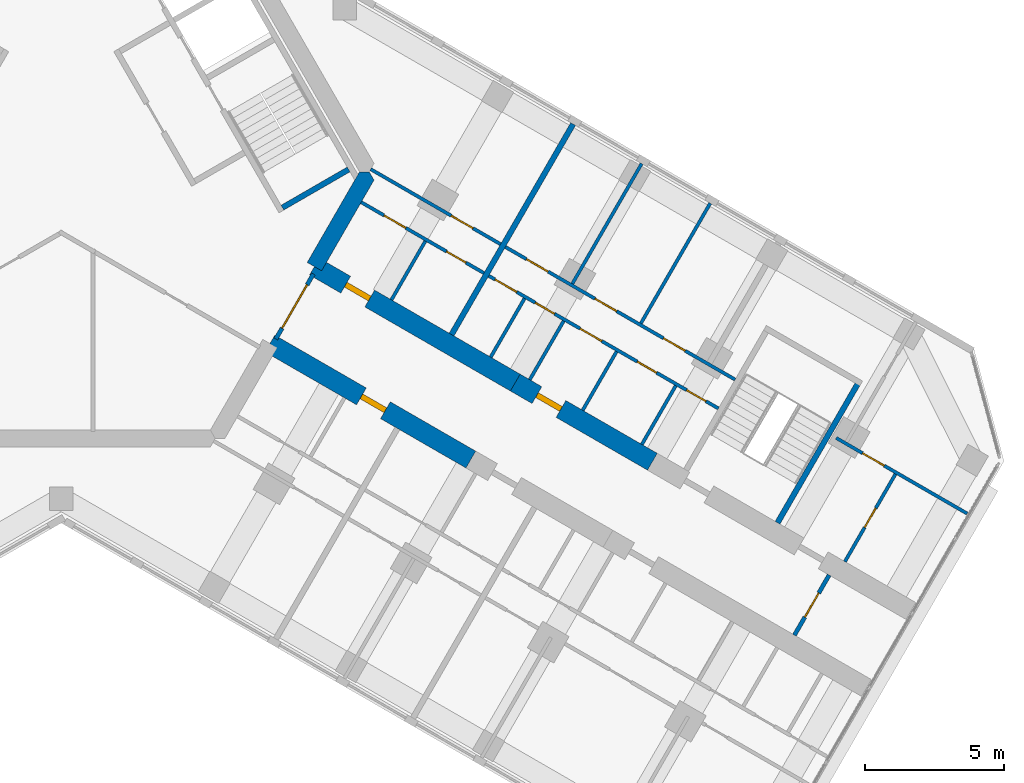
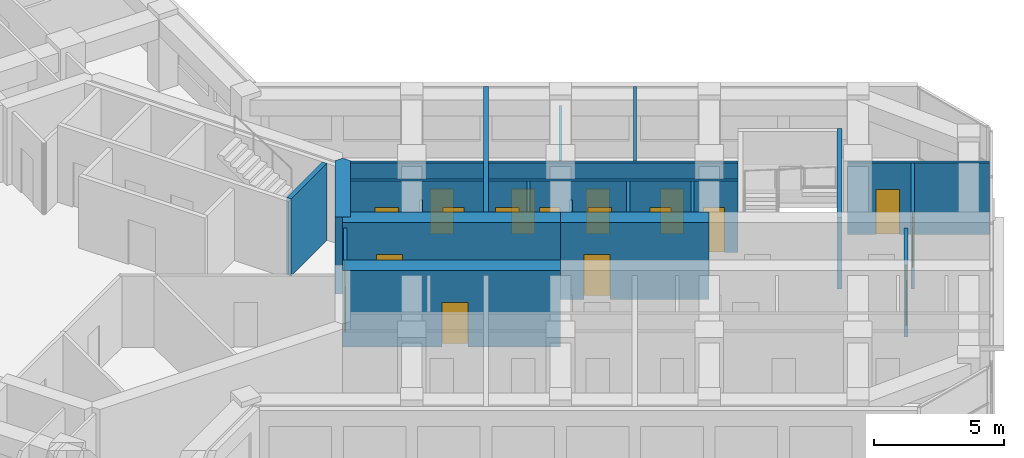
# One storey, part 12 of 16: 22 walls, 18 doors, 18 openings.
"""IFC4 building model written with IfcOpenShell, lengths in metres."""

from ifc_helpers import new_model, si_unit, direction, frame, frame_2d, origin, place, context, subcontext, project, spatial, polyline, rectangle, outline, extrude, material, layer, layer_set, type_object, element, fill, save


model = new_model("IFC4")

# Units and contexts
model_context = context("Model", 3, precision=1e-05, world=origin(), true_north=direction((0.0, 1.0)))
body_context = subcontext(model_context, "Body", "Model", "MODEL_VIEW")
ifc_project = project(units=[si_unit("LENGTHUNIT", "METRE"), si_unit("AREAUNIT", "SQUARE_METRE"), si_unit("VOLUMEUNIT", "CUBIC_METRE"), si_unit("PLANEANGLEUNIT", "RADIAN"), si_unit("MASSUNIT", "GRAM", prefix="KILO")], contexts=[model_context])

# Site, building, storey
site_placement = place(None, origin())
site = spatial("IfcSite", under=ifc_project, at=site_placement, CompositionType="ELEMENT")
building_placement = place(site_placement, origin())
building = spatial("IfcBuilding", under=site, at=building_placement, Name="Kosmar Iwan School Tower", CompositionType="ELEMENT")
storey_placement = place(building_placement, frame((0.0, 0.0, 249.60009765625)))
storey = spatial("IfcBuildingStorey", under=building, at=storey_placement, Name="L63", CompositionType="ELEMENT", Elevation=249.60009765625)

# Wall
ifc_material_1 = material(Name="Concrete C50/60", Category="concrete")
ifc_layer_1 = layer(ifc_material_1, 0.60009765625)
ifc_layer_set_1 = layer_set([ifc_layer_1], Name="Core wall 600")
wall_type_1 = type_object("IfcWallType", Name="Core wall 600", PredefinedType="SHEAR", material=ifc_layer_set_1)
wall_1_placement = place(storey_placement, origin())
element("IfcWall", 1, at=wall_1_placement, inside=storey, type_object=wall_type_1, Name="Core wall F330b", PredefinedType="SHEAR", context=body_context, shape_type="SweptSolid", body=[
    extrude(outline(polyline([(9.37353515625, -3.564453125), (11.25830078125, -0.300048828125), (11.085205078125, 0.0), (10.73876953125, 0.0), (8.85400390625, -3.264404296875), (9.37353515625, -3.564453125)])), origin(), (0.0, 0.0, 1.0), 3.599853515625),
])

# Wall, opening, door
ifc_material_2 = material(Name="Concrete C50/60", Category="concrete")
ifc_layer_2 = layer(ifc_material_2, 0.699951171875)
ifc_layer_set_2 = layer_set([ifc_layer_2], Name="Corridor buttress wall 700")
wall_type_2 = type_object("IfcWallType", Name="Corridor buttress wall 700", PredefinedType="SHEAR", material=ifc_layer_set_2)
wall_2_placement = place(storey_placement, frame((9.11376953125, -3.414306640625, 0.0), z_axis=(0.0, 0.0, 1.0), x_axis=(0.866026859388, -0.499997478812, 0.0)))
wall_2 = element("IfcWall", 2, at=wall_2_placement, inside=storey, type_object=wall_type_2, Name="Corridor wall CL", PredefinedType="SHEAR", context=body_context, shape_type="SweptSolid", body=[
    extrude(rectangle(XDim=8.35009765625, YDim=0.699951171875, at=frame_2d((4.175048828125, 0.0))), origin(), (0.0, 0.0, 1.0), 3.599853515625),
])
opening_1_placement = place(wall_2_placement, frame((1.300048828125, 0.0, 0.0)))
opening_1 = element("IfcOpeningElement", 3, at=opening_1_placement, cuts=wall_2, Name="Opening D1", PredefinedType="OPENING", context=body_context, shape_type="SweptSolid", body=[
    extrude(rectangle(XDim=1.0, YDim=2.10009765625, at=frame_2d((0.5, 1.050048828125))), frame((0.0, 0.362060546875, 0.0), z_axis=(0.0, -1.0, 0.0), x_axis=(1.0, 0.0, 0.0)), (0.0, 0.0, 1.0), 0.723876953125),
])
ifc_material_3 = material(Name="Timber fire door in steel frame", Category="steel")
door_type_1 = type_object("IfcDoorType", Name="Flat entrance door 1000x2100", OperationType="SINGLE_SWING_LEFT", PredefinedType="DOOR", material=ifc_material_3)
door_1_placement = place(opening_1_placement, origin())
door_1 = element("IfcDoor", 4, at=door_1_placement, inside=storey, type_object=door_type_1, Name="Flat L63-CL1 entrance door", OperationType="SINGLE_SWING_RIGHT", OverallHeight=2.10009765625, OverallWidth=1.0, PredefinedType="DOOR", context=body_context, shape_type="SweptSolid", body=[
    extrude(rectangle(XDim=1.0, YDim=2.10009765625, at=frame_2d((0.5, 1.050048828125))), frame((0.0, 0.10009765625, 0.0), z_axis=(0.0, -1.0, 0.0), x_axis=(1.0, 0.0, 0.0)), (0.0, 0.0, 1.0), 0.199951171875),
])
fill(opening_1, door_1)

wall_3_placement = place(storey_placement, frame((16.34521484375, -7.58935546875, 0.0), z_axis=(0.0, 0.0, 1.0), x_axis=(0.866015111908, -0.50001782563, 0.0)))
wall_3 = element("IfcWall", 5, at=wall_3_placement, inside=storey, type_object=wall_type_2, Name="Corridor wall CL bay 2", PredefinedType="SHEAR", context=body_context, shape_type="SweptSolid", body=[
    extrude(rectangle(XDim=5.699951171875, YDim=0.699951171875, at=frame_2d((2.85009765625, 0.0))), origin(), (0.0, 0.0, 1.0), 3.599853515625),
])
opening_2_placement = place(wall_3_placement, frame((0.89990234375, 0.0, 0.0)))
opening_2 = element("IfcOpeningElement", 6, at=opening_2_placement, cuts=wall_3, Name="Opening D1", PredefinedType="OPENING", context=body_context, shape_type="SweptSolid", body=[
    extrude(rectangle(XDim=1.0, YDim=2.10009765625, at=frame_2d((0.5, 1.050048828125))), frame((0.0, 0.362060546875, 0.0), z_axis=(0.0, -1.0, 0.0), x_axis=(1.0, 0.0, 0.0)), (0.0, 0.0, 1.0), 0.723876953125),
])
door_2_placement = place(opening_2_placement, origin())
door_2 = element("IfcDoor", 7, at=door_2_placement, inside=storey, type_object=door_type_1, Name="Flat L63-CL2 entrance door", OperationType="SINGLE_SWING_LEFT", OverallHeight=2.10009765625, OverallWidth=1.0, PredefinedType="DOOR", context=body_context, shape_type="SweptSolid", body=[
    extrude(rectangle(XDim=1.0, YDim=2.10009765625, at=frame_2d((0.5, 1.050048828125))), frame((0.0, 0.10009765625, 0.0), z_axis=(0.0, -1.0, 0.0), x_axis=(1.0, 0.0, 0.0)), (0.0, 0.0, 1.0), 0.199951171875),
])
fill(opening_2, door_2)

wall_4_placement = place(storey_placement, frame((7.513916015625, -6.185546875, 0.0), z_axis=(0.0, 0.0, 1.0), x_axis=(0.866019549707, -0.500010139422, 0.0)))
wall_4 = element("IfcWall", 8, at=wall_4_placement, inside=storey, type_object=wall_type_2, Name="Corridor wall CR", PredefinedType="SHEAR", context=body_context, shape_type="SweptSolid", body=[
    extrude(rectangle(XDim=8.349853515625, YDim=0.699951171875, at=frame_2d((4.1748046875, 0.0))), origin(), (0.0, 0.0, 1.0), 3.599853515625),
])
opening_3_placement = place(wall_4_placement, frame((3.800048828125, 0.0, 0.0)))
opening_3 = element("IfcOpeningElement", 9, at=opening_3_placement, cuts=wall_4, Name="Opening D1", PredefinedType="OPENING", context=body_context, shape_type="SweptSolid", body=[
    extrude(rectangle(XDim=1.0, YDim=2.10009765625, at=frame_2d((0.5, 1.050048828125))), frame((0.0, 0.362060546875, 0.0), z_axis=(0.0, -1.0, 0.0), x_axis=(1.0, 0.0, 0.0)), (0.0, 0.0, 1.0), 0.723876953125),
])
door_3_placement = place(opening_3_placement, origin())
door_3 = element("IfcDoor", 10, at=door_3_placement, inside=storey, type_object=door_type_1, Name="Flat L63-CR1 entrance door", OperationType="SINGLE_SWING_RIGHT", OverallHeight=2.10009765625, OverallWidth=1.0, PredefinedType="DOOR", context=body_context, shape_type="SweptSolid", body=[
    extrude(rectangle(XDim=1.0, YDim=2.10009765625, at=frame_2d((0.5, 1.050048828125))), frame((0.0, 0.10009765625, 0.0), z_axis=(0.0, -1.0, 0.0), x_axis=(1.0, 0.0, 0.0)), (0.0, 0.0, 1.0), 0.199951171875),
])
fill(opening_3, door_3)

ifc_material_4 = material(Name="Gypsum board on steel studs, fire-rated", Category="steel")
ifc_layer_3 = layer(ifc_material_4, 0.14990234375)
ifc_layer_set_3 = layer_set([ifc_layer_3], Name="Corridor end wall 150")
wall_type_3 = type_object("IfcWallType", Name="Corridor end wall 150", PredefinedType="PARTITIONING", material=ifc_layer_set_3)
wall_5_placement = place(storey_placement, frame((26.39501953125, -16.6826171875, 0.0), z_axis=(0.0, 0.0, 1.0), x_axis=(0.500004234368, 0.866022959057, 0.0)))
wall_5 = element("IfcWall", 11, at=wall_5_placement, inside=storey, type_object=wall_type_3, Name="Partition L63-C-CE", PredefinedType="PARTITIONING", context=body_context, shape_type="SweptSolid", body=[
    extrude(rectangle(XDim=2.5, YDim=0.14990234375, at=frame_2d((1.25, 0.0))), origin(), (0.0, 0.0, 1.0), 3.349853515625),
])
opening_4_placement = place(wall_5_placement, frame((0.75, 0.0, 0.0)))
opening_4 = element("IfcOpeningElement", 12, at=opening_4_placement, cuts=wall_5, Name="Opening D13", PredefinedType="OPENING", context=body_context, shape_type="SweptSolid", body=[
    extrude(rectangle(XDim=1.0, YDim=2.10009765625, at=frame_2d((0.5, 1.050048828125))), frame((0.0, 0.0869140625, 0.0), z_axis=(0.0, -1.0, 0.0), x_axis=(1.0, 0.0, 0.0)), (0.0, 0.0, 1.0), 0.173828125),
])
ifc_material_5 = material(Name="Timber fire door with vision panel", Category="wood")
door_type_2 = type_object("IfcDoorType", Name="Corridor end door 1000x2100", OperationType="SINGLE_SWING_LEFT", PredefinedType="DOOR", material=ifc_material_5)
door_4_placement = place(opening_4_placement, origin())
door_4 = element("IfcDoor", 13, at=door_4_placement, inside=storey, type_object=door_type_2, Name="Laundry and drying room door L63-C", OperationType="SINGLE_SWING_RIGHT", OverallHeight=2.10009765625, OverallWidth=1.0, PredefinedType="DOOR", context=body_context, shape_type="SweptSolid", body=[
    extrude(rectangle(XDim=1.0, YDim=2.10009765625, at=frame_2d((0.5, 1.050048828125))), frame((0.0, 0.02490234375, 0.0), z_axis=(0.0, -1.0, 0.0), x_axis=(1.0, 0.0, 0.0)), (0.0, 0.0, 1.0), 0.050048828125),
])
fill(opening_4, door_4)

ifc_material_6 = material(Name="Steel framed glazed screen", Category="steel")
ifc_layer_4 = layer(ifc_material_6, 0.14990234375)
ifc_layer_set_4 = layer_set([ifc_layer_4], Name="Corridor screen wall 150")
wall_type_4 = type_object("IfcWallType", Name="Corridor screen wall 150", PredefinedType="PARTITIONING", material=ifc_layer_set_4)
wall_6_placement = place(storey_placement, frame((7.725341796875, -6.01904296875, 0.0), z_axis=(0.0, 0.0, 1.0), x_axis=(0.500048589285, 0.86599734893, 0.0)))
wall_6 = element("IfcWall", 14, at=wall_6_placement, inside=storey, type_object=wall_type_4, Name="Corridor screen C L63", PredefinedType="PARTITIONING", context=body_context, shape_type="SweptSolid", body=[
    extrude(rectangle(XDim=2.699951171875, YDim=0.14990234375, at=frame_2d((1.35009765625, 0.0))), origin(), (0.0, 0.0, 1.0), 3.349853515625),
])
opening_5_placement = place(wall_6_placement, frame((0.449951171875, 0.0, 0.0)))
opening_5 = element("IfcOpeningElement", 15, at=opening_5_placement, cuts=wall_6, Name="Opening D9", PredefinedType="OPENING", context=body_context, shape_type="SweptSolid", body=[
    extrude(rectangle(XDim=1.800048828125, YDim=2.10009765625, at=frame_2d((0.89990234375, 1.050048828125))), frame((0.0, 0.0869140625, 0.0), z_axis=(0.0, -1.0, 0.0), x_axis=(1.0, 0.0, 0.0)), (0.0, 0.0, 1.0), 0.173828125),
])
ifc_material_7 = material(Name="Steel framed glazed smoke door", Category="steel")
door_type_3 = type_object("IfcDoorType", Name="Corridor smoke door pair 1800x2100", OperationType="DOUBLE_DOOR_DOUBLE_SWING", PredefinedType="DOOR", material=ifc_material_7)
door_5_placement = place(opening_5_placement, origin())
door_5 = element("IfcDoor", 16, at=door_5_placement, inside=storey, type_object=door_type_3, Name="Corridor doors C L63", OperationType="DOUBLE_DOOR_DOUBLE_SWING", OverallHeight=2.10009765625, OverallWidth=1.800048828125, PredefinedType="DOOR", context=body_context, shape_type="SweptSolid", body=[
    extrude(rectangle(XDim=1.800048828125, YDim=2.10009765625, at=frame_2d((0.89990234375, 1.050048828125))), frame((0.0, 0.02490234375, 0.0), z_axis=(0.0, -1.0, 0.0), x_axis=(1.0, 0.0, 0.0)), (0.0, 0.0, 1.0), 0.050048828125),
])
fill(opening_5, door_5)

# Wall, openings, doors
ifc_material_8 = material(Name="Gypsum board on steel studs", Category="steel")
ifc_layer_5 = layer(ifc_material_8, 0.1201171875)
ifc_layer_set_5 = layer_set([ifc_layer_5], Name="Dwelling partition 120")
wall_type_5 = type_object("IfcWallType", Name="Dwelling partition 120", PredefinedType="PARTITIONING", material=ifc_layer_set_5)
wall_7_placement = place(storey_placement, frame((10.798583984375, -1.09619140625, 0.0), z_axis=(0.0, 0.0, 1.0), x_axis=(0.86602216432, -0.500005610874, 0.0)))
wall_7 = element("IfcWall", 17, at=wall_7_placement, inside=storey, type_object=wall_type_5, Name="Partition L63-CL1-W1", PredefinedType="PARTITIONING", context=body_context, shape_type="SweptSolid", body=[
    extrude(rectangle(XDim=5.10009765625, YDim=0.1201171875, at=frame_2d((2.550048828125, 0.0))), origin(), (0.0, 0.0, 1.0), 3.349853515625),
])
opening_6_placement = place(wall_7_placement, frame((0.949951171875, 0.0, 0.0)))
opening_6 = element("IfcOpeningElement", 18, at=opening_6_placement, cuts=wall_7, Name="Opening D2", PredefinedType="OPENING", context=body_context, shape_type="SweptSolid", body=[
    extrude(rectangle(XDim=0.89990234375, YDim=2.10009765625, at=frame_2d((0.449951171875, 1.050048828125))), frame((0.0, 0.072021484375, 0.0), z_axis=(0.0, -1.0, 0.0), x_axis=(1.0, 0.0, 0.0)), (0.0, 0.0, 1.0), 0.14404296875),
])
opening_7_placement = place(wall_7_placement, frame((3.550048828125, 0.0, 0.0)))
opening_7 = element("IfcOpeningElement", 19, at=opening_7_placement, cuts=wall_7, Name="Opening D3", PredefinedType="OPENING", context=body_context, shape_type="SweptSolid", body=[
    extrude(rectangle(XDim=0.800048828125, YDim=2.10009765625, at=frame_2d((0.39990234375, 1.050048828125))), frame((0.0, 0.072021484375, 0.0), z_axis=(0.0, -1.0, 0.0), x_axis=(1.0, 0.0, 0.0)), (0.0, 0.0, 1.0), 0.14404296875),
])
ifc_material_9 = material(Name="Timber door in timber frame", Category="wood")
door_type_4 = type_object("IfcDoorType", Name="Internal door 900x2100", OperationType="SINGLE_SWING_LEFT", PredefinedType="DOOR", material=ifc_material_9)
door_6_placement = place(opening_6_placement, origin())
door_6 = element("IfcDoor", 20, at=door_6_placement, inside=storey, type_object=door_type_4, Name="Entrance hall door L63-CL1-S1", OperationType="SINGLE_SWING_LEFT", OverallHeight=2.10009765625, OverallWidth=0.89990234375, PredefinedType="DOOR", context=body_context, shape_type="SweptSolid", body=[
    extrude(rectangle(XDim=0.89990234375, YDim=2.10009765625, at=frame_2d((0.449951171875, 1.050048828125))), frame((0.0, 0.02490234375, 0.0), z_axis=(0.0, -1.0, 0.0), x_axis=(1.0, 0.0, 0.0)), (0.0, 0.0, 1.0), 0.050048828125),
])
fill(opening_6, door_6)
ifc_material_10 = material(Name="Timber door in timber frame", Category="wood")
door_type_5 = type_object("IfcDoorType", Name="Sanitary room door 800x2100", OperationType="SINGLE_SWING_LEFT", PredefinedType="DOOR", material=ifc_material_10)
door_7_placement = place(opening_7_placement, origin())
door_7 = element("IfcDoor", 21, at=door_7_placement, inside=storey, type_object=door_type_5, Name="Bathroom door L63-CL1-S2", OperationType="SINGLE_SWING_RIGHT", OverallHeight=2.10009765625, OverallWidth=0.800048828125, PredefinedType="DOOR", context=body_context, shape_type="SweptSolid", body=[
    extrude(rectangle(XDim=0.800048828125, YDim=2.10009765625, at=frame_2d((0.39990234375, 1.050048828125))), frame((0.0, 0.02490234375, 0.0), z_axis=(0.0, -1.0, 0.0), x_axis=(1.0, 0.0, 0.0)), (0.0, 0.0, 1.0), 0.050048828125),
])
fill(opening_7, door_7)

# Wall, opening, door
wall_8_placement = place(storey_placement, frame((11.138916015625, 0.093017578125, 0.0), z_axis=(0.0, 0.0, 1.0), x_axis=(0.866028230842, -0.499995103361, 0.0)))
wall_8 = element("IfcWall", 22, at=wall_8_placement, inside=storey, type_object=wall_type_5, Name="Partition L63-CL1-W2", PredefinedType="PARTITIONING", context=body_context, shape_type="SweptSolid", body=[
    extrude(rectangle(XDim=5.39990234375, YDim=0.1201171875, at=frame_2d((2.699951171875, 0.0))), origin(), (0.0, 0.0, 1.0), 3.349853515625),
])
opening_8_placement = place(wall_8_placement, frame((3.35009765625, 0.0, 0.0)))
opening_8 = element("IfcOpeningElement", 23, at=opening_8_placement, cuts=wall_8, Name="Opening D2", PredefinedType="OPENING", context=body_context, shape_type="SweptSolid", body=[
    extrude(rectangle(XDim=0.89990234375, YDim=2.10009765625, at=frame_2d((0.449951171875, 1.050048828125))), frame((0.0, 0.072021484375, 0.0), z_axis=(0.0, -1.0, 0.0), x_axis=(1.0, 0.0, 0.0)), (0.0, 0.0, 1.0), 0.14404296875),
])
door_8_placement = place(opening_8_placement, origin())
door_8 = element("IfcDoor", 24, at=door_8_placement, inside=storey, type_object=door_type_4, Name="Studio living room and kitchen door L63-CL1-F1", OperationType="SINGLE_SWING_RIGHT", OverallHeight=2.10009765625, OverallWidth=0.89990234375, PredefinedType="DOOR", context=body_context, shape_type="SweptSolid", body=[
    extrude(rectangle(XDim=0.89990234375, YDim=2.10009765625, at=frame_2d((0.449951171875, 1.050048828125))), frame((0.0, 0.02490234375, 0.0), z_axis=(0.0, -1.0, 0.0), x_axis=(1.0, 0.0, 0.0)), (0.0, 0.0, 1.0), 0.050048828125),
])
fill(opening_8, door_8)

# Wall
wall_9_placement = place(storey_placement, frame((11.886962890625, -4.611328125, 0.0), z_axis=(0.0, 0.0, 1.0), x_axis=(0.499959183527, 0.866048967903, 0.0)))
element("IfcWall", 25, at=wall_9_placement, inside=storey, type_object=wall_type_5, Name="Partition L63-CL1-Y1", PredefinedType="PARTITIONING", context=body_context, shape_type="SweptSolid", body=[
    extrude(rectangle(XDim=2.440185546875, YDim=0.1201171875, at=frame_2d((1.22021484375, 0.0))), origin(), (0.0, 0.0, 1.0), 2.449951171875),
])

# Wall, openings, doors
wall_10_placement = place(storey_placement, frame((15.388671875, -3.74609375, 0.0), z_axis=(0.0, 0.0, 1.0), x_axis=(0.866017851049, -0.500013081493, 0.0)))
wall_10 = element("IfcWall", 26, at=wall_10_placement, inside=storey, type_object=wall_type_5, Name="Partition L63-CL2-W1", PredefinedType="PARTITIONING", context=body_context, shape_type="SweptSolid", body=[
    extrude(rectangle(XDim=9.550048828125, YDim=0.1201171875, at=frame_2d((4.77490234375, 0.0))), origin(), (0.0, 0.0, 1.0), 3.349853515625),
])
opening_9_placement = place(wall_10_placement, frame((0.262451171875, 0.0, 0.0)))
opening_9 = element("IfcOpeningElement", 27, at=opening_9_placement, cuts=wall_10, Name="Opening D2", PredefinedType="OPENING", context=body_context, shape_type="SweptSolid", body=[
    extrude(rectangle(XDim=0.89990234375, YDim=2.10009765625, at=frame_2d((0.449951171875, 1.050048828125))), frame((0.0, 0.072021484375, 0.0), z_axis=(0.0, -1.0, 0.0), x_axis=(1.0, 0.0, 0.0)), (0.0, 0.0, 1.0), 0.14404296875),
])
opening_10_placement = place(wall_10_placement, frame((1.9375, 0.0, 0.0)))
opening_10 = element("IfcOpeningElement", 28, at=opening_10_placement, cuts=wall_10, Name="Opening D3", PredefinedType="OPENING", context=body_context, shape_type="SweptSolid", body=[
    extrude(rectangle(XDim=0.800048828125, YDim=2.10009765625, at=frame_2d((0.39990234375, 1.050048828125))), frame((0.0, 0.072021484375, 0.0), z_axis=(0.0, -1.0, 0.0), x_axis=(1.0, 0.0, 0.0)), (0.0, 0.0, 1.0), 0.14404296875),
])
opening_11_placement = place(wall_10_placement, frame((3.800048828125, 0.0, 0.0)))
opening_11 = element("IfcOpeningElement", 29, at=opening_11_placement, cuts=wall_10, Name="Opening D2", PredefinedType="OPENING", context=body_context, shape_type="SweptSolid", body=[
    extrude(rectangle(XDim=0.89990234375, YDim=2.10009765625, at=frame_2d((0.449951171875, 1.050048828125))), frame((0.0, 0.072021484375, 0.0), z_axis=(0.0, -1.0, 0.0), x_axis=(1.0, 0.0, 0.0)), (0.0, 0.0, 1.0), 0.14404296875),
])
opening_12_placement = place(wall_10_placement, frame((6.179931640625, 0.0, 0.0)))
opening_12 = element("IfcOpeningElement", 30, at=opening_12_placement, cuts=wall_10, Name="Opening D3", PredefinedType="OPENING", context=body_context, shape_type="SweptSolid", body=[
    extrude(rectangle(XDim=0.800048828125, YDim=2.10009765625, at=frame_2d((0.39990234375, 1.050048828125))), frame((0.0, 0.072021484375, 0.0), z_axis=(0.0, -1.0, 0.0), x_axis=(1.0, 0.0, 0.0)), (0.0, 0.0, 1.0), 0.14404296875),
])
opening_13_placement = place(wall_10_placement, frame((8.22998046875, 0.0, 0.0)))
opening_13 = element("IfcOpeningElement", 31, at=opening_13_placement, cuts=wall_10, Name="Opening D3", PredefinedType="OPENING", context=body_context, shape_type="SweptSolid", body=[
    extrude(rectangle(XDim=0.800048828125, YDim=2.10009765625, at=frame_2d((0.39990234375, 1.050048828125))), frame((0.0, 0.072021484375, 0.0), z_axis=(0.0, -1.0, 0.0), x_axis=(1.0, 0.0, 0.0)), (0.0, 0.0, 1.0), 0.14404296875),
])
door_9_placement = place(opening_9_placement, origin())
door_9 = element("IfcDoor", 32, at=door_9_placement, inside=storey, type_object=door_type_4, Name="Pantry door L63-CL2-S1", OperationType="SINGLE_SWING_LEFT", OverallHeight=2.10009765625, OverallWidth=0.89990234375, PredefinedType="DOOR", context=body_context, shape_type="SweptSolid", body=[
    extrude(rectangle(XDim=0.89990234375, YDim=2.10009765625, at=frame_2d((0.449951171875, 1.050048828125))), frame((0.0, 0.02490234375, 0.0), z_axis=(0.0, -1.0, 0.0), x_axis=(1.0, 0.0, 0.0)), (0.0, 0.0, 1.0), 0.050048828125),
])
fill(opening_9, door_9)
door_10_placement = place(opening_11_placement, origin())
door_10 = element("IfcDoor", 33, at=door_10_placement, inside=storey, type_object=door_type_4, Name="Entrance hall door L63-CL2-S3", OperationType="SINGLE_SWING_LEFT", OverallHeight=2.10009765625, OverallWidth=0.89990234375, PredefinedType="DOOR", context=body_context, shape_type="SweptSolid", body=[
    extrude(rectangle(XDim=0.89990234375, YDim=2.10009765625, at=frame_2d((0.449951171875, 1.050048828125))), frame((0.0, 0.02490234375, 0.0), z_axis=(0.0, -1.0, 0.0), x_axis=(1.0, 0.0, 0.0)), (0.0, 0.0, 1.0), 0.050048828125),
])
fill(opening_11, door_10)
door_11_placement = place(opening_10_placement, origin())
door_11 = element("IfcDoor", 34, at=door_11_placement, inside=storey, type_object=door_type_5, Name="Grandparents' shower room door L63-CL2-S2", OperationType="SINGLE_SWING_LEFT", OverallHeight=2.10009765625, OverallWidth=0.800048828125, PredefinedType="DOOR", context=body_context, shape_type="SweptSolid", body=[
    extrude(rectangle(XDim=0.800048828125, YDim=2.10009765625, at=frame_2d((0.39990234375, 1.050048828125))), frame((0.0, 0.02490234375, 0.0), z_axis=(0.0, -1.0, 0.0), x_axis=(1.0, 0.0, 0.0)), (0.0, 0.0, 1.0), 0.050048828125),
])
fill(opening_10, door_11)
door_12_placement = place(opening_12_placement, origin())
door_12 = element("IfcDoor", 35, at=door_12_placement, inside=storey, type_object=door_type_5, Name="Bathroom door L63-CL2-S4", OperationType="SINGLE_SWING_RIGHT", OverallHeight=2.10009765625, OverallWidth=0.800048828125, PredefinedType="DOOR", context=body_context, shape_type="SweptSolid", body=[
    extrude(rectangle(XDim=0.800048828125, YDim=2.10009765625, at=frame_2d((0.39990234375, 1.050048828125))), frame((0.0, 0.02490234375, 0.0), z_axis=(0.0, -1.0, 0.0), x_axis=(1.0, 0.0, 0.0)), (0.0, 0.0, 1.0), 0.050048828125),
])
fill(opening_12, door_12)
door_13_placement = place(opening_13_placement, origin())
door_13 = element("IfcDoor", 36, at=door_13_placement, inside=storey, type_object=door_type_5, Name="Shower room door L63-CL2-S5", OperationType="SINGLE_SWING_RIGHT", OverallHeight=2.10009765625, OverallWidth=0.800048828125, PredefinedType="DOOR", context=body_context, shape_type="SweptSolid", body=[
    extrude(rectangle(XDim=0.800048828125, YDim=2.10009765625, at=frame_2d((0.39990234375, 1.050048828125))), frame((0.0, 0.02490234375, 0.0), z_axis=(0.0, -1.0, 0.0), x_axis=(1.0, 0.0, 0.0)), (0.0, 0.0, 1.0), 0.050048828125),
])
fill(opening_13, door_13)

wall_11_placement = place(storey_placement, frame((15.988525390625, -2.70703125, 0.0), z_axis=(0.0, 0.0, 1.0), x_axis=(0.866028920859, -0.499993908199, 0.0)))
wall_11 = element("IfcWall", 37, at=wall_11_placement, inside=storey, type_object=wall_type_5, Name="Partition L63-CL2-W2", PredefinedType="PARTITIONING", context=body_context, shape_type="SweptSolid", body=[
    extrude(rectangle(XDim=9.5498046875, YDim=0.1201171875, at=frame_2d((4.77490234375, 0.0))), origin(), (0.0, 0.0, 1.0), 3.349853515625),
])
opening_14_placement = place(wall_11_placement, frame((0.875, 0.0, 0.0)))
opening_14 = element("IfcOpeningElement", 38, at=opening_14_placement, cuts=wall_11, Name="Opening D2", PredefinedType="OPENING", context=body_context, shape_type="SweptSolid", body=[
    extrude(rectangle(XDim=0.89990234375, YDim=2.10009765625, at=frame_2d((0.449951171875, 1.050048828125))), frame((0.0, 0.072021484375, 0.0), z_axis=(0.0, -1.0, 0.0), x_axis=(1.0, 0.0, 0.0)), (0.0, 0.0, 1.0), 0.14404296875),
])
opening_15_placement = place(wall_11_placement, frame((3.72509765625, 0.0, 0.0)))
opening_15 = element("IfcOpeningElement", 39, at=opening_15_placement, cuts=wall_11, Name="Opening D2", PredefinedType="OPENING", context=body_context, shape_type="SweptSolid", body=[
    extrude(rectangle(XDim=0.89990234375, YDim=2.10009765625, at=frame_2d((0.449951171875, 1.050048828125))), frame((0.0, 0.072021484375, 0.0), z_axis=(0.0, -1.0, 0.0), x_axis=(1.0, 0.0, 0.0)), (0.0, 0.0, 1.0), 0.14404296875),
])
opening_16_placement = place(wall_11_placement, frame((6.574951171875, 0.0, 0.0)))
opening_16 = element("IfcOpeningElement", 40, at=opening_16_placement, cuts=wall_11, Name="Opening D2", PredefinedType="OPENING", context=body_context, shape_type="SweptSolid", body=[
    extrude(rectangle(XDim=0.89990234375, YDim=2.10009765625, at=frame_2d((0.449951171875, 1.050048828125))), frame((0.0, 0.072021484375, 0.0), z_axis=(0.0, -1.0, 0.0), x_axis=(1.0, 0.0, 0.0)), (0.0, 0.0, 1.0), 0.14404296875),
])
door_14_placement = place(opening_14_placement, origin())
door_14 = element("IfcDoor", 41, at=door_14_placement, inside=storey, type_object=door_type_4, Name="Bedroom 1 door L63-CL2-F1", OperationType="SINGLE_SWING_RIGHT", OverallHeight=2.10009765625, OverallWidth=0.89990234375, PredefinedType="DOOR", context=body_context, shape_type="SweptSolid", body=[
    extrude(rectangle(XDim=0.89990234375, YDim=2.10009765625, at=frame_2d((0.449951171875, 1.050048828125))), frame((0.0, 0.02490234375, 0.0), z_axis=(0.0, -1.0, 0.0), x_axis=(1.0, 0.0, 0.0)), (0.0, 0.0, 1.0), 0.050048828125),
])
fill(opening_14, door_14)
door_15_placement = place(opening_15_placement, origin())
door_15 = element("IfcDoor", 42, at=door_15_placement, inside=storey, type_object=door_type_4, Name="Living room and kitchen door L63-CL2-F2", OperationType="SINGLE_SWING_LEFT", OverallHeight=2.10009765625, OverallWidth=0.89990234375, PredefinedType="DOOR", context=body_context, shape_type="SweptSolid", body=[
    extrude(rectangle(XDim=0.89990234375, YDim=2.10009765625, at=frame_2d((0.449951171875, 1.050048828125))), frame((0.0, 0.02490234375, 0.0), z_axis=(0.0, -1.0, 0.0), x_axis=(1.0, 0.0, 0.0)), (0.0, 0.0, 1.0), 0.050048828125),
])
fill(opening_15, door_15)
door_16_placement = place(opening_16_placement, origin())
door_16 = element("IfcDoor", 43, at=door_16_placement, inside=storey, type_object=door_type_4, Name="Grandparents' suite door L63-CL2-F3", OperationType="SINGLE_SWING_RIGHT", OverallHeight=2.10009765625, OverallWidth=0.89990234375, PredefinedType="DOOR", context=body_context, shape_type="SweptSolid", body=[
    extrude(rectangle(XDim=0.89990234375, YDim=2.10009765625, at=frame_2d((0.449951171875, 1.050048828125))), frame((0.0, 0.02490234375, 0.0), z_axis=(0.0, -1.0, 0.0), x_axis=(1.0, 0.0, 0.0)), (0.0, 0.0, 1.0), 0.050048828125),
])
fill(opening_16, door_16)

# Walls
wall_12_placement = place(storey_placement, frame((18.400146484375, -4.030029296875, 0.0), z_axis=(0.0, 0.0, 1.0), x_axis=(0.500011847778, 0.866018563358, 0.0)))
element("IfcWall", 44, at=wall_12_placement, inside=storey, type_object=wall_type_5, Name="Partition L63-CL2-X1", PredefinedType="PARTITIONING", context=body_context, shape_type="SweptSolid", body=[
    extrude(rectangle(XDim=4.990234375, YDim=0.1201171875, at=frame_2d((2.4951171875, 0.0))), origin(), (0.0, 0.0, 1.0), 2.449951171875),
])
wall_13_placement = place(storey_placement, frame((20.868408203125, -5.455078125, 0.0), z_axis=(0.0, 0.0, 1.0), x_axis=(0.499975153383, 0.86603974851, 0.0)))
element("IfcWall", 45, at=wall_13_placement, inside=storey, type_object=wall_type_5, Name="Partition L63-CL2-X2", PredefinedType="PARTITIONING", context=body_context, shape_type="SweptSolid", body=[
    extrude(rectangle(XDim=4.989990234375, YDim=0.1201171875, at=frame_2d((2.4951171875, 0.0))), origin(), (0.0, 0.0, 1.0), 3.349853515625),
])
wall_14_placement = place(storey_placement, frame((15.459228515625, -6.673828125, 0.0), z_axis=(0.0, 0.0, 1.0), x_axis=(0.499959183527, 0.866048967903, 0.0)))
element("IfcWall", 46, at=wall_14_placement, inside=storey, type_object=wall_type_5, Name="Partition L63-CL2-Y1", PredefinedType="PARTITIONING", context=body_context, shape_type="SweptSolid", body=[
    extrude(rectangle(XDim=2.440185546875, YDim=0.1201171875, at=frame_2d((1.22021484375, 0.0))), origin(), (0.0, 0.0, 1.0), 3.349853515625),
])
wall_15_placement = place(storey_placement, frame((16.866455078125, -7.486328125, 0.0), z_axis=(0.0, 0.0, 1.0), x_axis=(0.500034220881, 0.866005645448, 0.0)))
element("IfcWall", 47, at=wall_15_placement, inside=storey, type_object=wall_type_5, Name="Partition L63-CL2-Y2", PredefinedType="PARTITIONING", context=body_context, shape_type="SweptSolid", body=[
    extrude(rectangle(XDim=2.440185546875, YDim=0.1201171875, at=frame_2d((1.22021484375, 0.0))), origin(), (0.0, 0.0, 1.0), 2.449951171875),
])
for number, where, z_axis, x_axis, name in (
    (48, (18.771728515625, -8.586181640625, 0.0), (0.0, 0.0, 1.0), (0.500077547548, 0.865980627057, 0.0), "Partition L63-CL2-Y3"),
    (49, (20.90234375, -9.816162109375, 0.0), (0.0, 0.0, 1.0), (0.500002508028, 0.866023955769, 0.0), "Partition L63-CL2-Y4"),
):
    element("IfcWall", number, at=place(storey_placement, frame(where, z_axis=z_axis, x_axis=x_axis)), inside=storey, type_object=wall_type_5, Name=name, PredefinedType="PARTITIONING", context=body_context, shape_type="SweptSolid", body=[
        extrude(rectangle(XDim=2.43994140625, YDim=0.1201171875, at=frame_2d((1.219970703125, 0.0))), origin(), (0.0, 0.0, 1.0), 3.349853515625),
    ])

# Wall, opening, door
wall_16_placement = place(storey_placement, frame((27.896484375, -9.58203125, 0.0), z_axis=(0.0, 0.0, 1.0), x_axis=(0.866035508231, -0.499982498177, 0.0)))
wall_16 = element("IfcWall", 50, at=wall_16_placement, inside=storey, type_object=wall_type_5, Name="Partition L63-CL3-TW", PredefinedType="PARTITIONING", context=body_context, shape_type="SweptSolid", body=[
    extrude(rectangle(XDim=5.445068359375, YDim=0.1201171875, at=frame_2d((2.72265625, 0.0))), origin(), (0.0, 0.0, 1.0), 3.349853515625),
])
opening_17_placement = place(wall_16_placement, frame((1.10009765625, 0.0, 0.0)))
opening_17 = element("IfcOpeningElement", 51, at=opening_17_placement, cuts=wall_16, Name="Opening D2", PredefinedType="OPENING", context=body_context, shape_type="SweptSolid", body=[
    extrude(rectangle(XDim=0.89990234375, YDim=2.10009765625, at=frame_2d((0.449951171875, 1.050048828125))), frame((0.0, 0.072021484375, 0.0), z_axis=(0.0, -1.0, 0.0), x_axis=(1.0, 0.0, 0.0)), (0.0, 0.0, 1.0), 0.14404296875),
])
door_17_placement = place(opening_17_placement, origin())
door_17 = element("IfcDoor", 52, at=door_17_placement, inside=storey, type_object=door_type_4, Name="Entrance hall door L63-CL3-T3", OperationType="SINGLE_SWING_LEFT", OverallHeight=2.10009765625, OverallWidth=0.89990234375, PredefinedType="DOOR", context=body_context, shape_type="SweptSolid", body=[
    extrude(rectangle(XDim=0.89990234375, YDim=2.10009765625, at=frame_2d((0.449951171875, 1.050048828125))), frame((0.0, 0.02490234375, 0.0), z_axis=(0.0, -1.0, 0.0), x_axis=(1.0, 0.0, 0.0)), (0.0, 0.0, 1.0), 0.050048828125),
])
fill(opening_17, door_17)

wall_17_placement = place(storey_placement, frame((28.21142578125, -14.036376953125, 0.0), z_axis=(0.0, 0.0, 1.0), x_axis=(0.499983701346, 0.866034813612, 0.0)))
wall_17 = element("IfcWall", 53, at=wall_17_placement, inside=storey, type_object=wall_type_5, Name="Partition L63-CL3-TY", PredefinedType="PARTITIONING", context=body_context, shape_type="SweptSolid", body=[
    extrude(rectangle(XDim=3.64013671875, YDim=0.1201171875, at=frame_2d((1.820068359375, 0.0))), origin(), (0.0, 0.0, 1.0), 3.349853515625),
])
opening_18_placement = place(wall_17_placement, frame((1.419921875, 0.0, 0.0)))
opening_18 = element("IfcOpeningElement", 54, at=opening_18_placement, cuts=wall_17, Name="Opening D3", PredefinedType="OPENING", context=body_context, shape_type="SweptSolid", body=[
    extrude(rectangle(XDim=0.800048828125, YDim=2.10009765625, at=frame_2d((0.39990234375, 1.050048828125))), frame((0.0, 0.072021484375, 0.0), z_axis=(0.0, -1.0, 0.0), x_axis=(1.0, 0.0, 0.0)), (0.0, 0.0, 1.0), 0.14404296875),
])
door_18_placement = place(opening_18_placement, origin())
door_18 = element("IfcDoor", 55, at=door_18_placement, inside=storey, type_object=door_type_5, Name="Bathroom door L63-CL3-T4", OperationType="SINGLE_SWING_RIGHT", OverallHeight=2.10009765625, OverallWidth=0.800048828125, PredefinedType="DOOR", context=body_context, shape_type="SweptSolid", body=[
    extrude(rectangle(XDim=0.800048828125, YDim=2.10009765625, at=frame_2d((0.39990234375, 1.050048828125))), frame((0.0, 0.02490234375, 0.0), z_axis=(0.0, -1.0, 0.0), x_axis=(1.0, 0.0, 0.0)), (0.0, 0.0, 1.0), 0.050048828125),
])
fill(opening_18, door_18)

# Walls
ifc_material_11 = material(Name="Concrete C35/45", Category="concrete")
ifc_layer_6 = layer(ifc_material_11, 0.199951171875)
ifc_layer_set_6 = layer_set([ifc_layer_6], Name="Escape stair wall 200")
wall_type_6 = type_object("IfcWallType", Name="Escape stair wall 200", PredefinedType="SHEAR", material=ifc_layer_set_6)
wall_18_placement = place(storey_placement, frame((25.78662109375, -12.63623046875, 0.0), z_axis=(0.0, 0.0, 1.0), x_axis=(0.500013701029, 0.866017493347, 0.0)))
element("IfcWall", 56, at=wall_18_placement, inside=storey, type_object=wall_type_6, Name="Stair WS3 wall", PredefinedType="SHEAR", context=body_context, shape_type="SweptSolid", body=[
    extrude(rectangle(XDim=5.949951171875, YDim=0.199951171875, at=frame_2d((2.97509765625, 0.0))), origin(), (0.0, 0.0, 1.0), 3.329833984375),
])
ifc_material_12 = material(Name="Concrete block masonry", Category="masonry")
ifc_layer_7 = layer(ifc_material_12, 0.199951171875)
ifc_layer_set_7 = layer_set([ifc_layer_7], Name="Party wall 200")
wall_type_7 = type_object("IfcWallType", Name="Party wall 200", PredefinedType="PARTITIONING", material=ifc_layer_set_7)
wall_19_placement = place(storey_placement, frame((14.052001953125, -5.861328125, 0.0), z_axis=(0.0, 0.0, 1.0), x_axis=(0.499992152613, 0.866029934428, 0.0)))
element("IfcWall", 57, at=wall_19_placement, inside=storey, type_object=wall_type_7, Name="Partition L63-CL2-PW", PredefinedType="PARTITIONING", context=body_context, shape_type="SweptSolid", body=[
    extrude(rectangle(XDim=8.750244140625, YDim=0.199951171875, at=frame_2d((4.375, 0.0))), origin(), (0.0, 0.0, 1.0), 3.349853515625),
])
ifc_material_13 = material(Name="Concrete C50/60", Category="concrete")
ifc_layer_8 = layer(ifc_material_13, 0.199951171875)
ifc_layer_set_8 = layer_set([ifc_layer_8], Name="Stair enclosure wall 200")
wall_type_8 = type_object("IfcWallType", Name="Stair enclosure wall 200", PredefinedType="SHEAR", material=ifc_layer_set_8)
wall_20_placement = place(storey_placement, frame((7.962646484375, -1.291748046875, 0.0), z_axis=(0.0, 0.0, 1.0), x_axis=(0.866027397988, 0.499996545922, 0.0)))
element("IfcWall", 58, at=wall_20_placement, inside=storey, type_object=wall_type_8, Name="Stair ST1 wall", PredefinedType="SHEAR", context=body_context, shape_type="SweptSolid", body=[
    extrude(rectangle(XDim=2.75, YDim=0.199951171875, at=frame_2d((1.375, 0.0))), origin(), (0.0, 0.0, 1.0), 3.599853515625),
])

save(model, "model.ifc")
